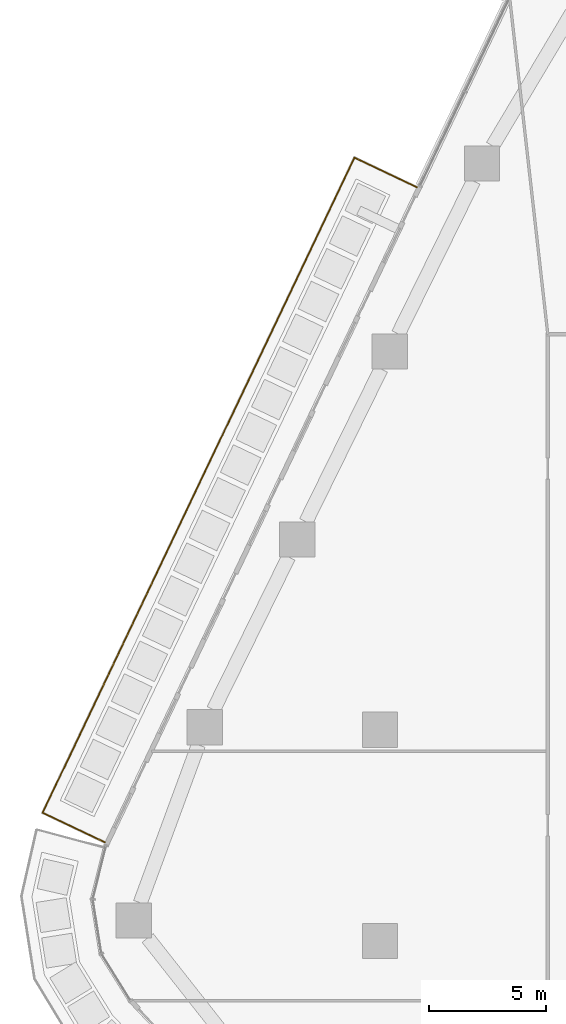
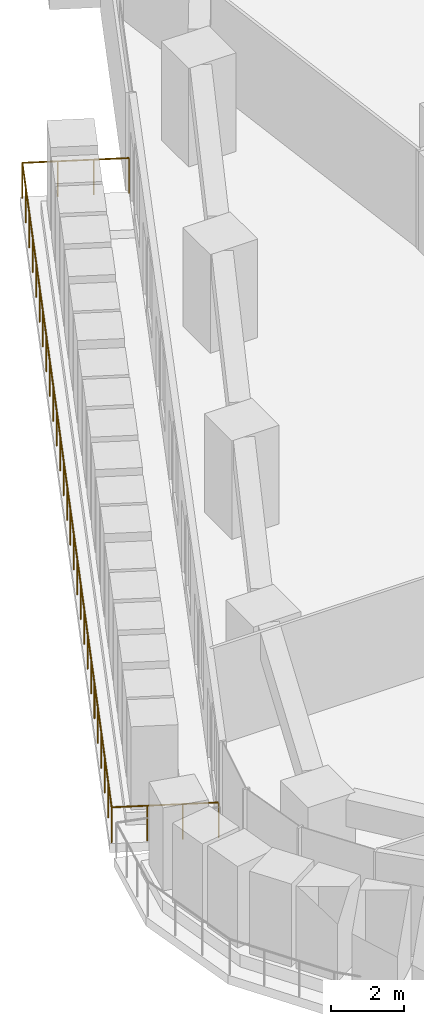
# One storey, part 21 of 24: 1 railing.
"""IFC4 building model written with IfcOpenShell, lengths in metres."""

from ifc_helpers import new_model, si_unit, direction, frame, origin, origin_2d, place, context, subcontext, project, spatial, circle, extrude, material, type_object, element, save


model = new_model("IFC4")

# Units and contexts
model_context = context("Model", 3, precision=1e-05, world=origin(), true_north=direction((0.0, 1.0)))
body_context = subcontext(model_context, "Body", "Model", "MODEL_VIEW")
ifc_project = project(units=[si_unit("LENGTHUNIT", "METRE"), si_unit("AREAUNIT", "SQUARE_METRE"), si_unit("VOLUMEUNIT", "CUBIC_METRE"), si_unit("PLANEANGLEUNIT", "RADIAN"), si_unit("MASSUNIT", "GRAM", prefix="KILO")], contexts=[model_context])

# Site, building, storey
site_placement = place(None, origin())
site = spatial("IfcSite", under=ifc_project, at=site_placement, CompositionType="ELEMENT")
building_placement = place(site_placement, origin())
building = spatial("IfcBuilding", under=site, at=building_placement, Name="Dongbaek Canopy Tower", CompositionType="ELEMENT")
storey_placement = place(building_placement, frame((0.0, 0.0, 47.699951171875)))
storey = spatial("IfcBuildingStorey", under=building, at=storey_placement, Name="L07", CompositionType="ELEMENT", Elevation=47.699951171875)

# Railing
ifc_material = material(Name="Stainless steel", Category="steel")
railing_type = type_object("IfcRailingType", Name="Balcony balustrade 1200", PredefinedType="BALUSTRADE", material=ifc_material)
railing_placement = place(storey_placement, frame((-25.43212890625, 23.11181640625, 0.0)))
element("IfcRailing", 1, at=railing_placement, inside=storey, type_object=railing_type, Name="Balcony guard L07 2", PredefinedType="BALUSTRADE", context=body_context, shape_type="SweptSolid", body=[
    extrude(circle(Radius=0.02392578125, at=origin_2d()), frame((0.0, 0.0, 1.17578125), z_axis=(-0.902960263464, 0.429724054021, 0.0), x_axis=(-0.429724054021, -0.902960263464, 0.0)), (0.0, 0.0, 1.0), 2.940185546875),
    extrude(circle(Radius=0.02392578125, at=origin_2d()), frame((-2.65478515625, 1.263427734375, 1.17578125), z_axis=(-0.42978763548, -0.902930001932, 0.0), x_axis=(0.902930001932, -0.42978763548, 0.0)), (0.0, 0.0, 1.0), 30.909912109375),
    extrude(circle(Radius=0.02392578125, at=origin_2d()), frame((-15.939453125, -26.64599609375, 1.17578125), z_axis=(0.902912701058, -0.429823980564, 0.0), x_axis=(0.429823980564, 0.902912701058, 0.0)), (0.0, 0.0, 1.0), 2.93994140625),
    extrude(circle(Radius=0.02099609375, at=origin_2d()), origin(), (0.0, 0.0, 1.0), 1.15185546875),
    extrude(circle(Radius=0.02099609375, at=origin_2d()), frame((-0.885009765625, 0.421142578125, 0.0)), (0.0, 0.0, 1.0), 1.15185546875),
    extrude(circle(Radius=0.02099609375, at=origin_2d()), frame((-1.769775390625, 0.84228515625, 0.0)), (0.0, 0.0, 1.0), 1.15185546875),
    extrude(circle(Radius=0.02099609375, at=origin_2d()), frame((-2.65478515625, 1.263427734375, 0.0)), (0.0, 0.0, 1.0), 1.15185546875),
    extrude(circle(Radius=0.02099609375, at=origin_2d()), frame((-3.165771484375, 0.18994140625, 0.0)), (0.0, 0.0, 1.0), 1.15185546875),
    extrude(circle(Radius=0.02099609375, at=origin_2d()), frame((-3.6767578125, -0.883544921875, 0.0)), (0.0, 0.0, 1.0), 1.15185546875),
    extrude(circle(Radius=0.02099609375, at=origin_2d()), frame((-4.187744140625, -1.956787109375, 0.0)), (0.0, 0.0, 1.0), 1.15185546875),
    extrude(circle(Radius=0.02099609375, at=origin_2d()), frame((-4.698486328125, -3.0302734375, 0.0)), (0.0, 0.0, 1.0), 1.15185546875),
    extrude(circle(Radius=0.02099609375, at=origin_2d()), frame((-5.20947265625, -4.103759765625, 0.0)), (0.0, 0.0, 1.0), 1.15185546875),
    extrude(circle(Radius=0.02099609375, at=origin_2d()), frame((-5.720458984375, -5.17724609375, 0.0)), (0.0, 0.0, 1.0), 1.15185546875),
    extrude(circle(Radius=0.02099609375, at=origin_2d()), frame((-6.2314453125, -6.250732421875, 0.0)), (0.0, 0.0, 1.0), 1.15185546875),
    extrude(circle(Radius=0.02099609375, at=origin_2d()), frame((-6.742431640625, -7.323974609375, 0.0)), (0.0, 0.0, 1.0), 1.15185546875),
    extrude(circle(Radius=0.02099609375, at=origin_2d()), frame((-7.25341796875, -8.3974609375, 0.0)), (0.0, 0.0, 1.0), 1.15185546875),
    extrude(circle(Radius=0.02099609375, at=origin_2d()), frame((-7.76416015625, -9.470947265625, 0.0)), (0.0, 0.0, 1.0), 1.15185546875),
    extrude(circle(Radius=0.02099609375, at=origin_2d()), frame((-8.275146484375, -10.54443359375, 0.0)), (0.0, 0.0, 1.0), 1.15185546875),
    extrude(circle(Radius=0.02099609375, at=origin_2d()), frame((-8.7861328125, -11.617919921875, 0.0)), (0.0, 0.0, 1.0), 1.15185546875),
    extrude(circle(Radius=0.02099609375, at=origin_2d()), frame((-9.297119140625, -12.69140625, 0.0)), (0.0, 0.0, 1.0), 1.15185546875),
    extrude(circle(Radius=0.02099609375, at=origin_2d()), frame((-9.80810546875, -13.7646484375, 0.0)), (0.0, 0.0, 1.0), 1.15185546875),
    extrude(circle(Radius=0.02099609375, at=origin_2d()), frame((-10.319091796875, -14.838134765625, 0.0)), (0.0, 0.0, 1.0), 1.15185546875),
    extrude(circle(Radius=0.02099609375, at=origin_2d()), frame((-10.830078125, -15.91162109375, 0.0)), (0.0, 0.0, 1.0), 1.15185546875),
    extrude(circle(Radius=0.02099609375, at=origin_2d()), frame((-11.3408203125, -16.985107421875, 0.0)), (0.0, 0.0, 1.0), 1.15185546875),
    extrude(circle(Radius=0.02099609375, at=origin_2d()), frame((-11.851806640625, -18.05859375, 0.0)), (0.0, 0.0, 1.0), 1.15185546875),
    extrude(circle(Radius=0.02099609375, at=origin_2d()), frame((-12.36279296875, -19.1318359375, 0.0)), (0.0, 0.0, 1.0), 1.15185546875),
    extrude(circle(Radius=0.02099609375, at=origin_2d()), frame((-12.873779296875, -20.205322265625, 0.0)), (0.0, 0.0, 1.0), 1.15185546875),
    extrude(circle(Radius=0.02099609375, at=origin_2d()), frame((-13.384765625, -21.27880859375, 0.0)), (0.0, 0.0, 1.0), 1.15185546875),
    extrude(circle(Radius=0.02099609375, at=origin_2d()), frame((-13.895751953125, -22.352294921875, 0.0)), (0.0, 0.0, 1.0), 1.15185546875),
    extrude(circle(Radius=0.02099609375, at=origin_2d()), frame((-14.406494140625, -23.42578125, 0.0)), (0.0, 0.0, 1.0), 1.15185546875),
    extrude(circle(Radius=0.02099609375, at=origin_2d()), frame((-14.91748046875, -24.4990234375, 0.0)), (0.0, 0.0, 1.0), 1.15185546875),
    extrude(circle(Radius=0.02099609375, at=origin_2d()), frame((-15.428466796875, -25.572509765625, 0.0)), (0.0, 0.0, 1.0), 1.15185546875),
    extrude(circle(Radius=0.02099609375, at=origin_2d()), frame((-15.939453125, -26.64599609375, 0.0)), (0.0, 0.0, 1.0), 1.15185546875),
    extrude(circle(Radius=0.02099609375, at=origin_2d()), frame((-15.0546875, -27.067138671875, 0.0)), (0.0, 0.0, 1.0), 1.15185546875),
    extrude(circle(Radius=0.02099609375, at=origin_2d()), frame((-14.169677734375, -27.488525390625, 0.0)), (0.0, 0.0, 1.0), 1.15185546875),
    extrude(circle(Radius=0.02099609375, at=origin_2d()), frame((-13.284912109375, -27.90966796875, 0.0)), (0.0, 0.0, 1.0), 1.15185546875),
])

save(model, "model.ifc")
